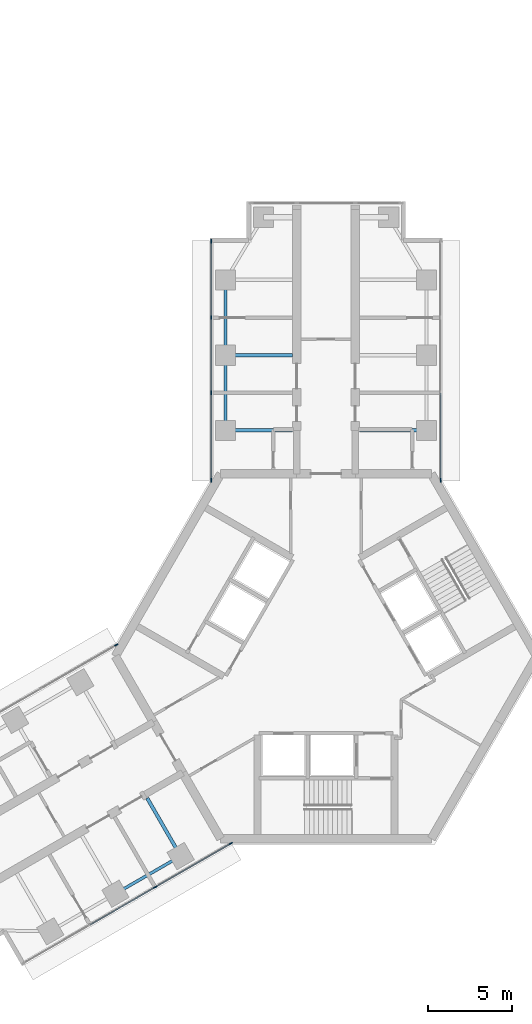
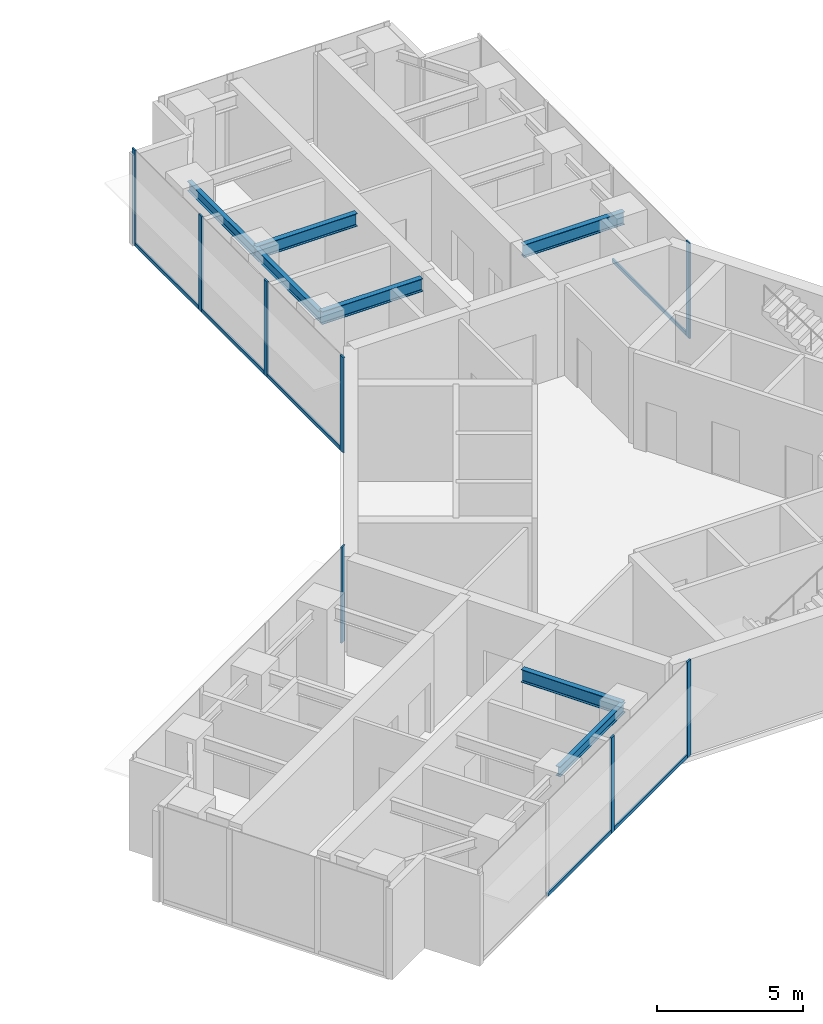
# One storey, part 8 of 17: 14 members, 7 beams, 4 elements without a shape of their own.
"""IFC4 building model written with IfcOpenShell, lengths in metres."""

from ifc_helpers import new_model, si_unit, direction, frame, origin, origin_2d, place, context, subcontext, project, spatial, rectangle, i_section, extrude, material, material_profile, profile_set, type_object, element, aggregate, save


model = new_model("IFC4")

# Units and contexts
model_context = context("Model", 3, precision=1e-05, world=origin(), true_north=direction((0.0, 1.0)))
body_context = subcontext(model_context, "Body", "Model", "MODEL_VIEW")
ifc_project = project(units=[si_unit("LENGTHUNIT", "METRE"), si_unit("AREAUNIT", "SQUARE_METRE"), si_unit("VOLUMEUNIT", "CUBIC_METRE"), si_unit("PLANEANGLEUNIT", "RADIAN"), si_unit("MASSUNIT", "GRAM", prefix="KILO")], contexts=[model_context])

# Site, building, storey
site_placement = place(None, origin())
site = spatial("IfcSite", under=ifc_project, at=site_placement, CompositionType="ELEMENT")
building_placement = place(site_placement, origin())
building = spatial("IfcBuilding", under=site, at=building_placement, Name="Upepo Twin Towers", CompositionType="ELEMENT")
storey_placement = place(building_placement, frame((0.0, 0.0, 190.5)))
storey = spatial("IfcBuildingStorey", under=building, at=storey_placement, Name="L46", CompositionType="ELEMENT", Elevation=190.5)

# Beams
ifc_material_1 = material(Name="Steel S355", Category="steel")
ifc_material_profile_1 = material_profile(ifc_material_1, i_section(OverallWidth=0.177978515625, OverallDepth=0.406494140625, WebThickness=0.0078125, FlangeThickness=0.0126953125, FilletRadius=0.01025390625, at=origin_2d()), Name="UB 406x178x60")
ifc_profile_set_1 = profile_set([ifc_material_profile_1], Name="Steel S355")
beam_type_1 = type_object("IfcBeamType", Name="Beam UB 406x178x60", PredefinedType="BEAM", material=ifc_profile_set_1)
for number, where, z_axis, x_axis, name in (
    (1, (52.5, -4.5, 3.5966796875), (0.0, 1.0, 0.0), (-1.0, 0.0, 0.0), "T2 edge beam AL 13.5-18.0"),
    (2, (52.5, 0.0, 3.5966796875), (0.0, 1.0, 0.0), (-1.0, 0.0, 0.0), "T2 edge beam AL 18.0-22.5"),
):
    element("IfcBeam", number, at=place(storey_placement, frame(where, z_axis=z_axis, x_axis=x_axis)), inside=storey, type_object=beam_type_1, Name=name, PredefinedType="BEAM", context=body_context, shape_type="SweptSolid", body=[
        extrude(i_section(OverallWidth=0.177978515625, OverallDepth=0.406494140625, WebThickness=0.0078125, FlangeThickness=0.0126953125, FilletRadius=0.01025390625, at=origin_2d()), origin(), (0.0, 0.0, 1.0), 4.5),
    ])
beam_placement = place(storey_placement, frame((49.80859375, -29.946044921875, 3.5966796875), z_axis=(-0.866017533419, -0.500013631625, 0.0), x_axis=(0.500013631625, -0.866017533419, 0.0)))
element("IfcBeam", 3, at=beam_placement, inside=storey, type_object=beam_type_1, Name="T2 edge beam BL 13.5-18.0", PredefinedType="BEAM", context=body_context, shape_type="SweptSolid", body=[
    extrude(i_section(OverallWidth=0.177978515625, OverallDepth=0.406494140625, WebThickness=0.0078125, FlangeThickness=0.0126953125, FilletRadius=0.01025390625, at=origin_2d()), origin(), (0.0, 0.0, 1.0), 4.499755859375),
])
ifc_material_2 = material(Name="Steel S355", Category="steel")
ifc_material_profile_2 = material_profile(ifc_material_2, i_section(OverallWidth=0.209228515625, OverallDepth=0.533203125, WebThickness=0.010009765625, FlangeThickness=0.015625, FilletRadius=0.0126953125, at=origin_2d()), Name="UB 533x210x92")
ifc_profile_set_2 = profile_set([ifc_material_profile_2], Name="Steel S355")
beam_type_2 = type_object("IfcBeamType", Name="Beam UB 533x210x92", PredefinedType="BEAM", material=ifc_profile_set_2)
for number, where, z_axis, x_axis, name in (
    (4, (52.5, -4.5, 3.533447265625), (1.0, 0.0, 0.0), (0.0, 1.0, 0.0), "T2 girder AL at 13.5"),
    (5, (52.5, 0.0, 3.533447265625), (1.0, 0.0, 0.0), (0.0, 1.0, 0.0), "T2 girder AL at 18.0"),
    (6, (64.5, -4.5, 3.533447265625), (-1.0, 0.0, 0.0), (0.0, -1.0, 0.0), "T2 girder AR at 13.5"),
    (7, (49.80859375, -29.946044921875, 3.533447265625), (-0.49999894854, 0.866026010844, 0.0), (-0.866026010844, -0.49999894854, 0.0), "T2 girder BL at 13.5"),
):
    element("IfcBeam", number, at=place(storey_placement, frame(where, z_axis=z_axis, x_axis=x_axis)), inside=storey, type_object=beam_type_2, Name=name, PredefinedType="BEAM", context=body_context, shape_type="SweptSolid", body=[
        extrude(i_section(OverallWidth=0.209228515625, OverallDepth=0.533203125, WebThickness=0.010009765625, FlangeThickness=0.015625, FilletRadius=0.0126953125, at=origin_2d()), origin(), (0.0, 0.0, 1.0), 4.0),
    ])

# Curtain wall, members
ifc_material_3 = material(Name="Aluminium and fritted glass", Category="aluminium")
curtain_wall_type = type_object("IfcCurtainWallType", Name="Tower curtain wall TW3, fritted glass", PredefinedType="NOTDEFINED", material=ifc_material_3)
curtain_wall_1_placement = place(storey_placement, origin())
curtain_wall_1 = element("IfcCurtainWall", 8, at=curtain_wall_1_placement, inside=storey, type_object=curtain_wall_type, Name="T2 L46 wing A flank L curtain wall", PredefinedType="NOTDEFINED")
ifc_material_4 = material(Name="Aluminium mullion", Category="aluminium")
ifc_material_profile_3 = material_profile(ifc_material_4, rectangle(XDim=0.06494140625, YDim=0.22509765625, at=origin_2d()), Name="MULLION 65x225")
ifc_profile_set_3 = profile_set([ifc_material_profile_3], Name="Aluminium mullion")
member_type_1 = type_object("IfcMemberType", Name="Mullion 65x225 TW3", PredefinedType="MULLION", material=ifc_profile_set_3)
member_1_placement = place(storey_placement, frame((51.64990234375, -7.48046875, 0.0), z_axis=(0.0, 0.0, 1.0), x_axis=(-1.0, 0.0, 0.0)))
member_1 = element("IfcMember", 9, at=member_1_placement, type_object=member_type_1, Name="T2 L46 wing A flank L curtain wall mullion 1", PredefinedType="MULLION", context=body_context, shape_type="SweptSolid", body=[
    extrude(rectangle(XDim=0.06494140625, YDim=0.22509765625, at=origin_2d()), origin(), (0.0, 0.0, 1.0), 4.0),
])
member_2_placement = place(storey_placement, frame((51.64990234375, -2.25, 0.0), z_axis=(0.0, 0.0, 1.0), x_axis=(-1.0, 0.0, 0.0)))
member_2 = element("IfcMember", 10, at=member_2_placement, type_object=member_type_1, Name="T2 L46 wing A flank L curtain wall mullion 2", PredefinedType="MULLION", context=body_context, shape_type="SweptSolid", body=[
    extrude(rectangle(XDim=0.06494140625, YDim=0.22509765625, at=origin_2d()), origin(), (0.0, 0.0, 1.0), 4.0),
])
member_3_placement = place(storey_placement, frame((51.64990234375, 2.25, 0.0), z_axis=(0.0, 0.0, 1.0), x_axis=(-1.0, 0.0, 0.0)))
member_3 = element("IfcMember", 11, at=member_3_placement, type_object=member_type_1, Name="T2 L46 wing A flank L curtain wall mullion 3", PredefinedType="MULLION", context=body_context, shape_type="SweptSolid", body=[
    extrude(rectangle(XDim=0.06494140625, YDim=0.22509765625, at=origin_2d()), origin(), (0.0, 0.0, 1.0), 4.0),
])
member_4_placement = place(storey_placement, frame((51.64990234375, 6.8173828125, 0.0), z_axis=(0.0, 0.0, 1.0), x_axis=(-1.0, 0.0, 0.0)))
member_4 = element("IfcMember", 12, at=member_4_placement, type_object=member_type_1, Name="T2 L46 wing A flank L curtain wall mullion 4", PredefinedType="MULLION", context=body_context, shape_type="SweptSolid", body=[
    extrude(rectangle(XDim=0.06494140625, YDim=0.22509765625, at=origin_2d()), origin(), (0.0, 0.0, 1.0), 4.0),
])

# Curtain wall, member
curtain_wall_2_placement = place(storey_placement, origin())
curtain_wall_2 = element("IfcCurtainWall", 13, at=curtain_wall_2_placement, inside=storey, type_object=curtain_wall_type, Name="T2 L46 wing A flank R curtain wall", PredefinedType="NOTDEFINED")
member_5_placement = place(storey_placement, frame((65.35009765625, -7.48046875, 0.0), z_axis=(0.0, 0.0, 1.0), x_axis=(1.0, 0.0, 0.0)))
member_5 = element("IfcMember", 14, at=member_5_placement, type_object=member_type_1, Name="T2 L46 wing A flank R curtain wall mullion 4", PredefinedType="MULLION", context=body_context, shape_type="SweptSolid", body=[
    extrude(rectangle(XDim=0.06494140625, YDim=0.22509765625, at=origin_2d()), origin(), (0.0, 0.0, 1.0), 4.0),
])

# Curtain wall, members
curtain_wall_3_placement = place(storey_placement, origin())
curtain_wall_3 = element("IfcCurtainWall", 15, at=curtain_wall_3_placement, inside=storey, type_object=curtain_wall_type, Name="T2 L46 wing B flank L curtain wall", PredefinedType="NOTDEFINED")
member_6_placement = place(storey_placement, frame((52.814697265625, -29.192138671875, 0.0), z_axis=(0.0, 0.0, 1.0), x_axis=(0.500000026527, -0.866025388469, 0.0)))
member_6 = element("IfcMember", 16, at=member_6_placement, type_object=member_type_1, Name="T2 L46 wing B flank L curtain wall mullion 1", PredefinedType="MULLION", context=body_context, shape_type="SweptSolid", body=[
    extrude(rectangle(XDim=0.06494140625, YDim=0.22509765625, at=origin_2d()), origin(), (0.0, 0.0, 1.0), 4.0),
])
member_7_placement = place(storey_placement, frame((48.28515625, -31.807373046875, 0.0), z_axis=(0.0, 0.0, 1.0), x_axis=(0.500000026527, -0.866025388469, 0.0)))
member_7 = element("IfcMember", 17, at=member_7_placement, type_object=member_type_1, Name="T2 L46 wing B flank L curtain wall mullion 2", PredefinedType="MULLION", context=body_context, shape_type="SweptSolid", body=[
    extrude(rectangle(XDim=0.06494140625, YDim=0.22509765625, at=origin_2d()), origin(), (0.0, 0.0, 1.0), 4.0),
])

# Curtain wall, member
curtain_wall_4_placement = place(storey_placement, origin())
curtain_wall_4 = element("IfcCurtainWall", 18, at=curtain_wall_4_placement, inside=storey, type_object=curtain_wall_type, Name="T2 L46 wing B flank R curtain wall", PredefinedType="NOTDEFINED")
member_8_placement = place(storey_placement, frame((45.96484375, -17.32763671875, 0.0), z_axis=(0.0, 0.0, 1.0), x_axis=(-0.500000026527, 0.866025388469, 0.0)))
member_8 = element("IfcMember", 19, at=member_8_placement, type_object=member_type_1, Name="T2 L46 wing B flank R curtain wall mullion 4", PredefinedType="MULLION", context=body_context, shape_type="SweptSolid", body=[
    extrude(rectangle(XDim=0.06494140625, YDim=0.22509765625, at=origin_2d()), origin(), (0.0, 0.0, 1.0), 4.0),
])
aggregate(curtain_wall_4, [member_8])

# Member
ifc_material_5 = material(Name="Aluminium transom", Category="aluminium")
ifc_material_profile_4 = material_profile(ifc_material_5, rectangle(XDim=0.06494140625, YDim=0.14990234375, at=origin_2d()), Name="TRANSOM 65x150")
ifc_profile_set_4 = profile_set([ifc_material_profile_4], Name="Aluminium transom")
member_type_2 = type_object("IfcMemberType", Name="Transom 65x150 TW3", PredefinedType="USERDEFINED", material=ifc_profile_set_4)
member_9_placement = place(storey_placement, frame((51.64990234375, -7.447998046875, 0.074951171875), z_axis=(0.0, 1.0, 0.0), x_axis=(-1.0, 0.0, 0.0)))
member_9 = element("IfcMember", 20, at=member_9_placement, type_object=member_type_2, Name="T2 L46 wing A flank L curtain wall transom 1", ObjectType="TRANSOM", PredefinedType="USERDEFINED", context=body_context, shape_type="SweptSolid", body=[
    extrude(rectangle(XDim=0.06494140625, YDim=0.14990234375, at=origin_2d()), origin(), (0.0, 0.0, 1.0), 5.16552734375),
])

member_10_placement = place(storey_placement, frame((51.64990234375, -2.217529296875, 0.074951171875), z_axis=(0.0, 1.0, 0.0), x_axis=(-1.0, 0.0, 0.0)))
member_10 = element("IfcMember", 21, at=member_10_placement, type_object=member_type_2, Name="T2 L46 wing A flank L curtain wall transom 2", ObjectType="TRANSOM", PredefinedType="USERDEFINED", context=body_context, shape_type="SweptSolid", body=[
    extrude(rectangle(XDim=0.06494140625, YDim=0.14990234375, at=origin_2d()), origin(), (0.0, 0.0, 1.0), 4.43505859375),
])

member_11_placement = place(storey_placement, frame((51.64990234375, 2.282470703125, 0.074951171875), z_axis=(0.0, 1.0, 0.0), x_axis=(-1.0, 0.0, 0.0)))
member_11 = element("IfcMember", 22, at=member_11_placement, type_object=member_type_2, Name="T2 L46 wing A flank L curtain wall transom 3", ObjectType="TRANSOM", PredefinedType="USERDEFINED", context=body_context, shape_type="SweptSolid", body=[
    extrude(rectangle(XDim=0.06494140625, YDim=0.14990234375, at=origin_2d()), origin(), (0.0, 0.0, 1.0), 4.50244140625),
])

aggregate(curtain_wall_1, [member_1, member_2, member_3, member_4, member_9, member_10, member_11])

member_12_placement = place(storey_placement, frame((65.35009765625, -2.282470703125, 0.074951171875), z_axis=(0.0, -1.0, 0.0), x_axis=(1.0, 0.0, 0.0)))
member_12 = element("IfcMember", 23, at=member_12_placement, type_object=member_type_2, Name="T2 L46 wing A flank R curtain wall transom 3", ObjectType="TRANSOM", PredefinedType="USERDEFINED", context=body_context, shape_type="SweptSolid", body=[
    extrude(rectangle(XDim=0.06494140625, YDim=0.14990234375, at=origin_2d()), origin(), (0.0, 0.0, 1.0), 5.16552734375),
])

aggregate(curtain_wall_2, [member_5, member_12])

member_13_placement = place(storey_placement, frame((52.78662109375, -29.208251953125, 0.074951171875), z_axis=(-0.86602108507, -0.500007480159, 0.0), x_axis=(0.500007480159, -0.86602108507, 0.0)))
member_13 = element("IfcMember", 24, at=member_13_placement, type_object=member_type_2, Name="T2 L46 wing B flank L curtain wall transom 1", ObjectType="TRANSOM", PredefinedType="USERDEFINED", context=body_context, shape_type="SweptSolid", body=[
    extrude(rectangle(XDim=0.06494140625, YDim=0.14990234375, at=origin_2d()), origin(), (0.0, 0.0, 1.0), 5.16552734375),
])

member_14_placement = place(storey_placement, frame((48.2568359375, -31.823486328125, 0.074951171875), z_axis=(-0.866022410713, -0.500005184116, 0.0), x_axis=(0.500005184116, -0.866022410713, 0.0)))
member_14 = element("IfcMember", 25, at=member_14_placement, type_object=member_type_2, Name="T2 L46 wing B flank L curtain wall transom 2", ObjectType="TRANSOM", PredefinedType="USERDEFINED", context=body_context, shape_type="SweptSolid", body=[
    extrude(rectangle(XDim=0.06494140625, YDim=0.14990234375, at=origin_2d()), origin(), (0.0, 0.0, 1.0), 4.43505859375),
])

aggregate(curtain_wall_3, [member_6, member_7, member_13, member_14])

save(model, "model.ifc")
